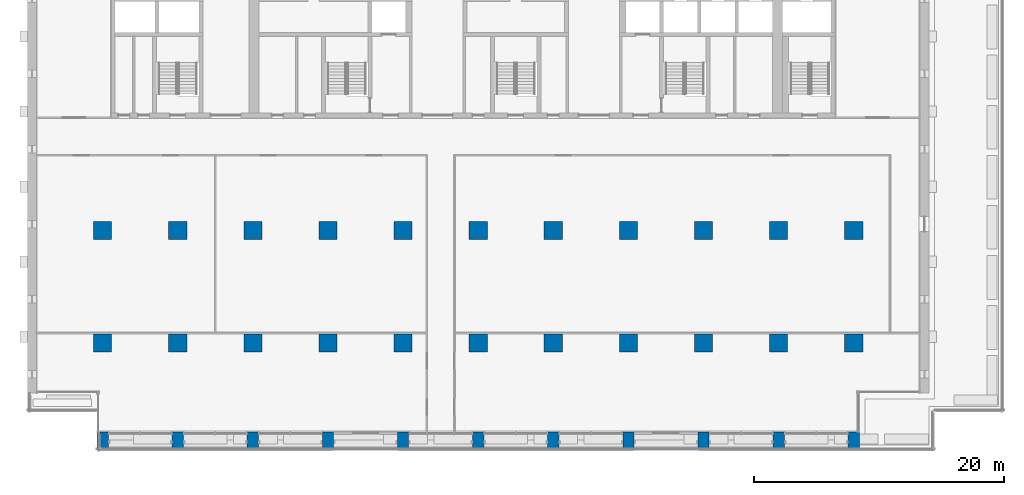
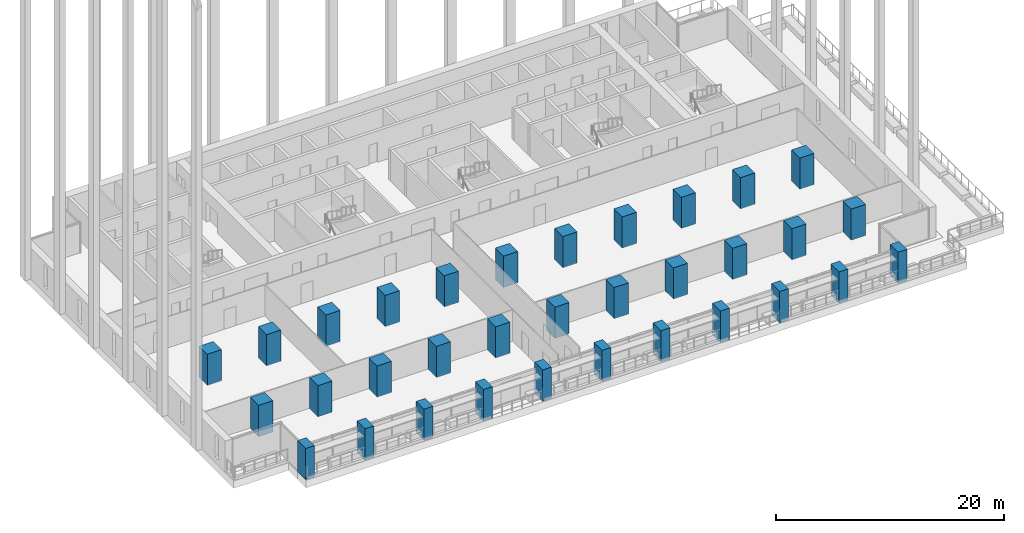
# One storey, part 1 of 18: 33 columns.
"""IFC4 building model written with IfcOpenShell, lengths in metres."""

from ifc_helpers import new_model, si_unit, direction, frame, origin, origin_2d, place, context, subcontext, project, spatial, rectangle, extrude, material, material_profile, profile_set, type_object, element, save


model = new_model("IFC4")

# Units and contexts
model_context = context("Model", 3, precision=1e-05, world=origin(), true_north=direction((0.0, 1.0)))
body_context = subcontext(model_context, "Body", "Model", "MODEL_VIEW")
ifc_project = project(units=[si_unit("LENGTHUNIT", "METRE"), si_unit("AREAUNIT", "SQUARE_METRE"), si_unit("VOLUMEUNIT", "CUBIC_METRE"), si_unit("PLANEANGLEUNIT", "RADIAN"), si_unit("MASSUNIT", "GRAM", prefix="KILO")], contexts=[model_context])

# Site, building, storey
site_placement = place(None, origin())
site = spatial("IfcSite", under=ifc_project, at=site_placement, CompositionType="ELEMENT")
building_placement = place(site_placement, origin())
building = spatial("IfcBuilding", under=site, at=building_placement, Name="Calvaro Tower", CompositionType="ELEMENT")
storey_placement = place(building_placement, frame((0.0, 0.0, 95.0)))
storey = spatial("IfcBuildingStorey", under=building, at=storey_placement, Name="L23", CompositionType="ELEMENT", Elevation=95.0)

# Columns
ifc_material_1 = material(Name="Concrete C60/75", Category="concrete")
ifc_material_profile_1 = material_profile(ifc_material_1, rectangle(XDim=1.449951171875, YDim=1.449951171875, at=origin_2d()), Name="RC 1450x1450")
ifc_profile_set_1 = profile_set([ifc_material_profile_1], Name="Concrete C60/75")
column_type_1 = type_object("IfcColumnType", Name="Column 1450x1450 C60/75", PredefinedType="COLUMN", material=ifc_profile_set_1)
for number, where, z_axis, x_axis, name in (
    (1, (6.0, 10.0, 0.0), (0.0, 0.0, 1.0), (1.0, 0.0, 0.0), "Column 2B"),
    (2, (6.0, 19.0, 0.0), (0.0, 0.0, 1.0), (1.0, 0.0, 0.0), "Column 2C"),
    (3, (12.0, 10.0, 0.0), (0.0, 0.0, 1.0), (1.0, 0.0, 0.0), "Column 3B"),
    (4, (12.0, 19.0, 0.0), (0.0, 0.0, 1.0), (1.0, 0.0, 0.0), "Column 3C"),
    (5, (18.0, 10.0, 0.0), (0.0, 0.0, 1.0), (1.0, 0.0, 0.0), "Column 4B"),
    (6, (18.0, 19.0, 0.0), (0.0, 0.0, 1.0), (1.0, 0.0, 0.0), "Column 4C"),
    (7, (24.0, 10.0, 0.0), (0.0, 0.0, 1.0), (1.0, 0.0, 0.0), "Column 5B"),
    (8, (24.0, 19.0, 0.0), (0.0, 0.0, 1.0), (1.0, 0.0, 0.0), "Column 5C"),
    (9, (30.0, 10.0, 0.0), (0.0, 0.0, 1.0), (1.0, 0.0, 0.0), "Column 6B"),
    (10, (30.0, 19.0, 0.0), (0.0, 0.0, 1.0), (1.0, 0.0, 0.0), "Column 6C"),
    (11, (36.0, 10.0, 0.0), (0.0, 0.0, 1.0), (1.0, 0.0, 0.0), "Column 7B"),
    (12, (36.0, 19.0, 0.0), (0.0, 0.0, 1.0), (1.0, 0.0, 0.0), "Column 7C"),
    (13, (42.0, 10.0, 0.0), (0.0, 0.0, 1.0), (1.0, 0.0, 0.0), "Column 8B"),
    (14, (42.0, 19.0, 0.0), (0.0, 0.0, 1.0), (1.0, 0.0, 0.0), "Column 8C"),
    (15, (48.0, 10.0, 0.0), (0.0, 0.0, 1.0), (1.0, 0.0, 0.0), "Column 9B"),
    (16, (48.0, 19.0, 0.0), (0.0, 0.0, 1.0), (1.0, 0.0, 0.0), "Column 9C"),
    (17, (54.0, 10.0, 0.0), (0.0, 0.0, 1.0), (1.0, 0.0, 0.0), "Column 10B"),
    (18, (54.0, 19.0, 0.0), (0.0, 0.0, 1.0), (1.0, 0.0, 0.0), "Column 10C"),
    (19, (60.0, 10.0, 0.0), (0.0, 0.0, 1.0), (1.0, 0.0, 0.0), "Column 11B"),
    (20, (60.0, 19.0, 0.0), (0.0, 0.0, 1.0), (1.0, 0.0, 0.0), "Column 11C"),
    (21, (66.0, 10.0, 0.0), (0.0, 0.0, 1.0), (1.0, 0.0, 0.0), "Column 12B"),
    (22, (66.0, 19.0, 0.0), (0.0, 0.0, 1.0), (1.0, 0.0, 0.0), "Column 12C"),
):
    element("IfcColumn", number, at=place(storey_placement, frame(where, z_axis=z_axis, x_axis=x_axis)), inside=storey, type_object=column_type_1, Name=name, PredefinedType="COLUMN", context=body_context, shape_type="SweptSolid", body=[
        extrude(rectangle(XDim=1.449951171875, YDim=1.449951171875, at=origin_2d()), origin(), (0.0, 0.0, 1.0), 3.35009765625),
    ])
ifc_material_2 = material(Name="Concrete C60/75", Category="concrete")
ifc_material_profile_2 = material_profile(ifc_material_2, rectangle(XDim=0.89990234375, YDim=1.39990234375, at=origin_2d()), Name="RC 900x1400")
ifc_profile_set_2 = profile_set([ifc_material_profile_2], Name="Concrete C60/75")
column_type_2 = type_object("IfcColumnType", Name="Pier 900x1400 C60/75", PredefinedType="COLUMN", material=ifc_profile_set_2)
for number, where, z_axis, x_axis, name in (
    (23, (6.0, 2.199951171875, 0.0), (0.0, 0.0, 1.0), (1.0, 0.0, 0.0), "South pier 2"),
    (24, (12.0, 2.199951171875, 0.0), (0.0, 0.0, 1.0), (1.0, 0.0, 0.0), "South pier 3"),
    (25, (18.0, 2.199951171875, 0.0), (0.0, 0.0, 1.0), (1.0, 0.0, 0.0), "South pier 4"),
    (26, (24.0, 2.199951171875, 0.0), (0.0, 0.0, 1.0), (1.0, 0.0, 0.0), "South pier 5"),
    (27, (30.0, 2.199951171875, 0.0), (0.0, 0.0, 1.0), (1.0, 0.0, 0.0), "South pier 6"),
    (28, (36.0, 2.199951171875, 0.0), (0.0, 0.0, 1.0), (1.0, 0.0, 0.0), "South pier 7"),
    (29, (42.0, 2.199951171875, 0.0), (0.0, 0.0, 1.0), (1.0, 0.0, 0.0), "South pier 8"),
    (30, (48.0, 2.199951171875, 0.0), (0.0, 0.0, 1.0), (1.0, 0.0, 0.0), "South pier 9"),
    (31, (54.0, 2.199951171875, 0.0), (0.0, 0.0, 1.0), (1.0, 0.0, 0.0), "South pier 10"),
    (32, (60.0, 2.199951171875, 0.0), (0.0, 0.0, 1.0), (1.0, 0.0, 0.0), "South pier 11"),
    (33, (66.0, 2.199951171875, 0.0), (0.0, 0.0, 1.0), (1.0, 0.0, 0.0), "South pier 12"),
):
    element("IfcColumn", number, at=place(storey_placement, frame(where, z_axis=z_axis, x_axis=x_axis)), inside=storey, type_object=column_type_2, Name=name, PredefinedType="COLUMN", context=body_context, shape_type="SweptSolid", body=[
        extrude(rectangle(XDim=0.89990234375, YDim=1.39990234375, at=origin_2d()), origin(), (0.0, 0.0, 1.0), 3.35009765625),
    ])

save(model, "model.ifc")
